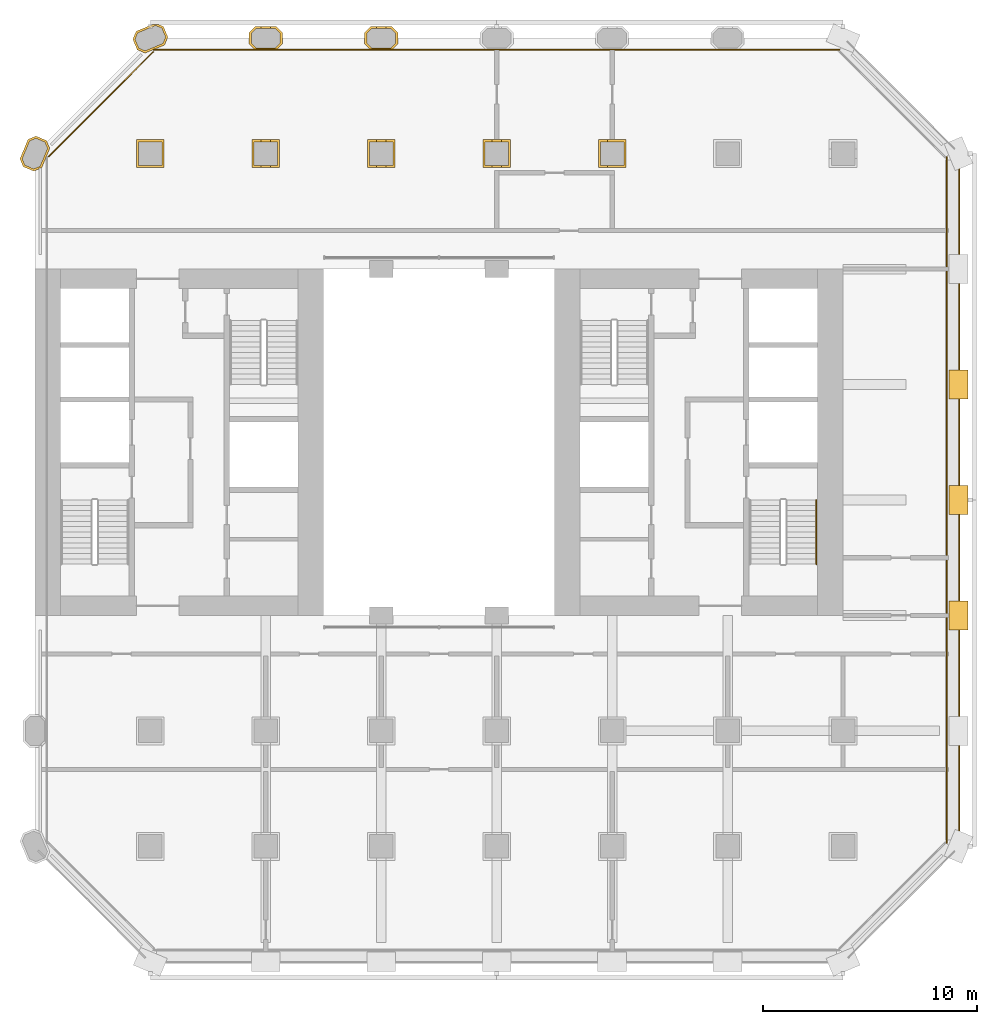
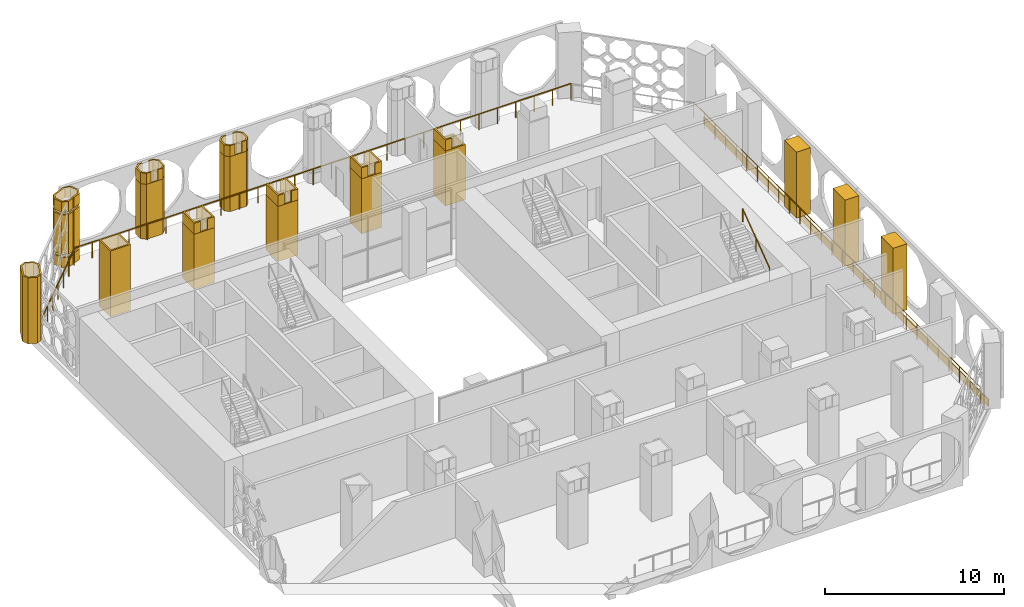
# One storey, part 13 of 14: 26 coverings, 4 railings.
"""IFC4 building model written with IfcOpenShell, lengths in metres."""

from ifc_helpers import new_model, si_unit, direction, frame, frame_2d, origin, origin_2d, place, context, subcontext, project, spatial, polyline, rectangle, circle, outline, extrude, material, layer, layer_set, type_object, element, save


model = new_model("IFC4")

# Units and contexts
model_context = context("Model", 3, precision=1e-05, world=origin(), true_north=direction((0.0, 1.0)))
body_context = subcontext(model_context, "Body", "Model", "MODEL_VIEW")
ifc_project = project(units=[si_unit("LENGTHUNIT", "METRE"), si_unit("AREAUNIT", "SQUARE_METRE"), si_unit("VOLUMEUNIT", "CUBIC_METRE"), si_unit("PLANEANGLEUNIT", "RADIAN"), si_unit("MASSUNIT", "GRAM", prefix="KILO")], contexts=[model_context])

# Site, building, storey
site_placement = place(None, origin())
site = spatial("IfcSite", under=ifc_project, at=site_placement, CompositionType="ELEMENT")
building_placement = place(site_placement, origin())
building = spatial("IfcBuilding", under=site, at=building_placement, Name="Tabaq Tower and Sports Hall", CompositionType="ELEMENT")
storey_placement = place(building_placement, frame((0.0, 0.0, 60.199951171875)))
storey = spatial("IfcBuildingStorey", under=building, at=storey_placement, Name="L13", CompositionType="ELEMENT", Elevation=60.199951171875)

# Coverings
ifc_material_1 = material(Name="Precast concrete C60/75", Category="concrete")
ifc_layer_1 = layer(ifc_material_1, 0.10009765625)
ifc_layer_set_1 = layer_set([ifc_layer_1], Name="Column cladding 100")
covering_type_1 = type_object("IfcCoveringType", Name="Column cladding 100", PredefinedType="CLADDING", material=ifc_layer_set_1)
covering_1_placement = place(storey_placement, origin())
element("IfcCovering", 1, at=covering_1_placement, inside=storey, type_object=covering_type_1, Name="Column cladding L13 PC-2H-O1", PredefinedType="CLADDING", context=body_context, shape_type="SweptSolid", body=[
    extrude(outline(polyline([(4.857421875, 37.186279296875), (4.7041015625, 37.556396484375), (5.080078125, 38.46435546875), (5.450439453125, 38.61767578125), (5.9423828125, 38.413818359375), (6.095947265625, 38.04345703125), (5.94287109375, 37.673828125), (5.942138671875, 37.673828125), (5.938232421875, 37.6728515625), (5.9345703125, 37.671630859375), (5.930908203125, 37.669921875), (5.927490234375, 37.667724609375), (5.92431640625, 37.66552734375), (5.92138671875, 37.662841796875), (5.9189453125, 37.659912109375), (5.91650390625, 37.65673828125), (5.91455078125, 37.6533203125), (5.912841796875, 37.649658203125), (5.911376953125, 37.64599609375), (5.910400390625, 37.64208984375), (5.909912109375, 37.63818359375), (5.90966796875, 37.63427734375), (5.90966796875, 37.593994140625), (5.7197265625, 37.1357421875), (5.694580078125, 37.125244140625), (5.589599609375, 37.125244140625), (5.589599609375, 37.081787109375), (5.349609375, 36.982421875), (4.857421875, 37.186279296875)]), holes=[polyline([(5.866455078125, 38.337646484375), (5.450439453125, 38.510009765625), (5.15625, 38.38818359375), (4.811767578125, 37.556396484375), (4.93359375, 37.26220703125), (5.349609375, 37.08984375), (5.643798828125, 37.2119140625), (5.98828125, 38.04345703125), (5.866455078125, 38.337646484375)])]), origin(), (0.0, 0.0, 1.0), 4.5),
])
covering_2_placement = place(storey_placement, origin())
element("IfcCovering", 2, at=covering_2_placement, inside=storey, type_object=covering_type_1, Name="Column cladding L13 CC-3H-O1", PredefinedType="CLADDING", context=body_context, shape_type="SweptSolid", body=[
    extrude(outline(polyline([(10.150390625, 38.44970703125), (11.44970703125, 38.44970703125), (11.44970703125, 37.150390625), (10.150390625, 37.150390625), (10.150390625, 38.44970703125)]), holes=[polyline([(11.350341796875, 37.249755859375), (11.350341796875, 38.350341796875), (10.249755859375, 38.350341796875), (10.249755859375, 37.249755859375), (11.350341796875, 37.249755859375)])]), origin(), (0.0, 0.0, 1.0), 4.5),
])
covering_3_placement = place(storey_placement, origin())
element("IfcCovering", 3, at=covering_3_placement, inside=storey, type_object=covering_type_1, Name="Column cladding L13 PC-3I-O1", PredefinedType="CLADDING", context=body_context, shape_type="SweptSolid", body=[
    extrude(outline(polyline([(9.982421875, 43.149658203125), (10.1357421875, 43.519775390625), (10.93212890625, 43.849609375), (11.155029296875, 43.849609375), (11.413818359375, 43.742431640625), (11.61767578125, 43.25048828125), (11.46435546875, 42.880126953125), (11.005859375, 42.690185546875), (10.965576171875, 42.690185546875), (10.961669921875, 42.690185546875), (10.957763671875, 42.689453125), (10.9541015625, 42.6884765625), (10.9501953125, 42.687255859375), (10.94677734375, 42.685546875), (10.943359375, 42.68359375), (10.940185546875, 42.68115234375), (10.937255859375, 42.678466796875), (10.9345703125, 42.675537109375), (10.93212890625, 42.67236328125), (10.93017578125, 42.6689453125), (10.928466796875, 42.66552734375), (10.927001953125, 42.66162109375), (10.92626953125, 42.657958984375), (10.926025390625, 42.6572265625), (10.556396484375, 42.504150390625), (10.186279296875, 42.657470703125), (9.982421875, 43.149658203125)]), holes=[polyline([(11.510009765625, 43.25048828125), (11.337646484375, 43.66650390625), (11.04345703125, 43.788330078125), (10.2119140625, 43.44384765625), (10.08984375, 43.149658203125), (10.26220703125, 42.733642578125), (10.556396484375, 42.61181640625), (11.38818359375, 42.956298828125), (11.510009765625, 43.25048828125)])]), origin(), (0.0, 0.0, 1.0), 0.699951171875),
])
covering_4_placement = place(storey_placement, frame((0.0, 0.0, 0.900146484375)))
element("IfcCovering", 4, at=covering_4_placement, inside=storey, type_object=covering_type_1, Name="Column cladding L13 PC-3I-O1 2", PredefinedType="CLADDING", context=body_context, shape_type="SweptSolid", body=[
    extrude(outline(polyline([(9.982421875, 43.149658203125), (10.1357421875, 43.519775390625), (10.93212890625, 43.849609375), (11.155029296875, 43.849609375), (11.413818359375, 43.742431640625), (11.61767578125, 43.25048828125), (11.46435546875, 42.880126953125), (11.005859375, 42.690185546875), (10.965576171875, 42.690185546875), (10.961669921875, 42.690185546875), (10.957763671875, 42.689453125), (10.9541015625, 42.6884765625), (10.9501953125, 42.687255859375), (10.94677734375, 42.685546875), (10.943359375, 42.68359375), (10.940185546875, 42.68115234375), (10.937255859375, 42.678466796875), (10.9345703125, 42.675537109375), (10.93212890625, 42.67236328125), (10.93017578125, 42.6689453125), (10.928466796875, 42.66552734375), (10.927001953125, 42.66162109375), (10.92626953125, 42.657958984375), (10.926025390625, 42.6572265625), (10.556396484375, 42.504150390625), (10.186279296875, 42.657470703125), (9.982421875, 43.149658203125)]), holes=[polyline([(11.510009765625, 43.25048828125), (11.337646484375, 43.66650390625), (11.04345703125, 43.788330078125), (10.2119140625, 43.44384765625), (10.08984375, 43.149658203125), (10.26220703125, 42.733642578125), (10.556396484375, 42.61181640625), (11.38818359375, 42.956298828125), (11.510009765625, 43.25048828125)])]), origin(), (0.0, 0.0, 1.0), 2.699951171875),
])
covering_5_placement = place(storey_placement, frame((0.0, 0.0, 3.800048828125)))
element("IfcCovering", 5, at=covering_5_placement, inside=storey, type_object=covering_type_1, Name="Column cladding L13 PC-3I-O1 3", PredefinedType="CLADDING", context=body_context, shape_type="SweptSolid", body=[
    extrude(outline(polyline([(9.982421875, 43.149658203125), (10.1357421875, 43.519775390625), (10.93212890625, 43.849609375), (11.155029296875, 43.849609375), (11.413818359375, 43.742431640625), (11.61767578125, 43.25048828125), (11.46435546875, 42.880126953125), (11.005859375, 42.690185546875), (10.965576171875, 42.690185546875), (10.961669921875, 42.690185546875), (10.957763671875, 42.689453125), (10.9541015625, 42.6884765625), (10.9501953125, 42.687255859375), (10.94677734375, 42.685546875), (10.943359375, 42.68359375), (10.940185546875, 42.68115234375), (10.937255859375, 42.678466796875), (10.9345703125, 42.675537109375), (10.93212890625, 42.67236328125), (10.93017578125, 42.6689453125), (10.928466796875, 42.66552734375), (10.927001953125, 42.66162109375), (10.92626953125, 42.657958984375), (10.926025390625, 42.6572265625), (10.556396484375, 42.504150390625), (10.186279296875, 42.657470703125), (9.982421875, 43.149658203125)]), holes=[polyline([(11.510009765625, 43.25048828125), (11.337646484375, 43.66650390625), (11.04345703125, 43.788330078125), (10.2119140625, 43.44384765625), (10.08984375, 43.149658203125), (10.26220703125, 42.733642578125), (10.556396484375, 42.61181640625), (11.38818359375, 42.956298828125), (11.510009765625, 43.25048828125)])]), origin(), (0.0, 0.0, 1.0), 0.699951171875),
])
covering_6_placement = place(storey_placement, origin())
element("IfcCovering", 6, at=covering_6_placement, inside=storey, type_object=covering_type_1, Name="Column cladding L13 CC-4H-O1", PredefinedType="CLADDING", context=body_context, shape_type="SweptSolid", body=[
    extrude(outline(polyline([(15.55029296875, 38.44970703125), (16.849609375, 38.44970703125), (16.849609375, 37.150390625), (15.55029296875, 37.150390625), (15.55029296875, 38.44970703125)]), holes=[polyline([(16.750244140625, 37.249755859375), (16.750244140625, 38.350341796875), (15.649658203125, 38.350341796875), (15.649658203125, 37.249755859375), (16.750244140625, 37.249755859375)])]), origin(), (0.0, 0.0, 1.0), 3.75),
])
covering_7_placement = place(storey_placement, frame((0.0, 0.0, 3.75)))
element("IfcCovering", 7, at=covering_7_placement, inside=storey, type_object=covering_type_1, Name="Column cladding L13 CC-4H-O1 head", PredefinedType="CLADDING", context=body_context, shape_type="SweptSolid", body=[
    extrude(outline(polyline([(16.425537109375, 38.3505859375), (16.425537109375, 38.449462890625), (16.849365234375, 38.449462890625), (16.849365234375, 37.150634765625), (16.425537109375, 37.150634765625), (16.425537109375, 37.24951171875), (16.75048828125, 37.24951171875), (16.75048828125, 38.3505859375), (16.425537109375, 38.3505859375)])), origin(), (0.0, 0.0, 1.0), 0.75),
])
covering_8_placement = place(storey_placement, frame((0.0, 0.0, 3.75)))
element("IfcCovering", 8, at=covering_8_placement, inside=storey, type_object=covering_type_1, Name="Column cladding L13 CC-4H-O1 head 2", PredefinedType="CLADDING", context=body_context, shape_type="SweptSolid", body=[
    extrude(outline(polyline([(15.974365234375, 38.3505859375), (15.6494140625, 38.3505859375), (15.6494140625, 37.24951171875), (15.974365234375, 37.24951171875), (15.974365234375, 37.150634765625), (15.550537109375, 37.150634765625), (15.550537109375, 38.449462890625), (15.974365234375, 38.449462890625), (15.974365234375, 38.3505859375)])), origin(), (0.0, 0.0, 1.0), 0.75),
])
covering_9_placement = place(storey_placement, origin())
element("IfcCovering", 9, at=covering_9_placement, inside=storey, type_object=covering_type_1, Name="Column cladding L13 PC-4I-O1", PredefinedType="CLADDING", context=body_context, shape_type="SweptSolid", body=[
    extrude(outline(polyline([(15.42529296875, 43.46630859375), (15.708740234375, 43.749755859375), (16.69140625, 43.749755859375), (16.974609375, 43.46630859375), (16.974609375, 42.93359375), (16.731201171875, 42.690185546875), (15.668701171875, 42.690185546875), (15.42529296875, 42.93359375), (15.42529296875, 43.46630859375)]), holes=[polyline([(16.875244140625, 42.974853515625), (16.875244140625, 43.425048828125), (16.650146484375, 43.650390625), (15.749755859375, 43.650390625), (15.524658203125, 43.425048828125), (15.524658203125, 42.974853515625), (15.749755859375, 42.749755859375), (16.650146484375, 42.749755859375), (16.875244140625, 42.974853515625)])]), origin(), (0.0, 0.0, 1.0), 3.75),
])
covering_10_placement = place(storey_placement, frame((0.0, 0.0, 3.75)))
element("IfcCovering", 10, at=covering_10_placement, inside=storey, type_object=covering_type_1, Name="Column cladding L13 PC-4I-O1 head", PredefinedType="CLADDING", context=body_context, shape_type="SweptSolid", body=[
    extrude(outline(polyline([(16.69140625, 43.749755859375), (16.974609375, 43.46630859375), (16.974609375, 42.93359375), (16.731201171875, 42.690185546875), (16.42529296875, 42.690185546875), (16.42529296875, 42.749755859375), (16.650146484375, 42.749755859375), (16.875244140625, 42.974853515625), (16.875244140625, 43.425048828125), (16.650146484375, 43.650390625), (16.42529296875, 43.650390625), (16.42529296875, 43.749755859375), (16.69140625, 43.749755859375)])), origin(), (0.0, 0.0, 1.0), 0.75),
])
covering_11_placement = place(storey_placement, frame((0.0, 0.0, 3.75)))
element("IfcCovering", 11, at=covering_11_placement, inside=storey, type_object=covering_type_1, Name="Column cladding L13 PC-4I-O1 head 2", PredefinedType="CLADDING", context=body_context, shape_type="SweptSolid", body=[
    extrude(outline(polyline([(15.708740234375, 43.749755859375), (15.974609375, 43.749755859375), (15.974609375, 43.650390625), (15.749755859375, 43.650390625), (15.524658203125, 43.425048828125), (15.524658203125, 42.974853515625), (15.749755859375, 42.749755859375), (15.974609375, 42.749755859375), (15.974609375, 42.690185546875), (15.668701171875, 42.690185546875), (15.42529296875, 42.93359375), (15.42529296875, 43.46630859375), (15.708740234375, 43.749755859375)])), origin(), (0.0, 0.0, 1.0), 0.75),
])
covering_12_placement = place(storey_placement, origin())
element("IfcCovering", 12, at=covering_12_placement, inside=storey, type_object=covering_type_1, Name="Column cladding L13 CC-5H-O1", PredefinedType="CLADDING", context=body_context, shape_type="SweptSolid", body=[
    extrude(outline(polyline([(20.9501953125, 38.44970703125), (22.249755859375, 38.44970703125), (22.249755859375, 37.150390625), (20.9501953125, 37.150390625), (20.9501953125, 38.44970703125)]), holes=[polyline([(22.150390625, 37.249755859375), (22.150390625, 38.350341796875), (21.0498046875, 38.350341796875), (21.0498046875, 37.249755859375), (22.150390625, 37.249755859375)])]), origin(), (0.0, 0.0, 1.0), 3.75),
])
covering_13_placement = place(storey_placement, frame((0.0, 0.0, 3.75)))
element("IfcCovering", 13, at=covering_13_placement, inside=storey, type_object=covering_type_1, Name="Column cladding L13 CC-5H-O1 head", PredefinedType="CLADDING", context=body_context, shape_type="SweptSolid", body=[
    extrude(outline(polyline([(21.37451171875, 38.3505859375), (21.04931640625, 38.3505859375), (21.04931640625, 37.24951171875), (21.37451171875, 37.24951171875), (21.37451171875, 37.150634765625), (20.95068359375, 37.150634765625), (20.95068359375, 38.449462890625), (21.37451171875, 38.449462890625), (21.37451171875, 38.3505859375)])), origin(), (0.0, 0.0, 1.0), 0.75),
])
covering_14_placement = place(storey_placement, frame((0.0, 0.0, 3.75)))
element("IfcCovering", 14, at=covering_14_placement, inside=storey, type_object=covering_type_1, Name="Column cladding L13 CC-5H-O1 head 2", PredefinedType="CLADDING", context=body_context, shape_type="SweptSolid", body=[
    extrude(outline(polyline([(21.82568359375, 38.3505859375), (21.82568359375, 38.449462890625), (22.24951171875, 38.449462890625), (22.24951171875, 37.150634765625), (21.82568359375, 37.150634765625), (21.82568359375, 37.24951171875), (22.150634765625, 37.24951171875), (22.150634765625, 38.3505859375), (21.82568359375, 38.3505859375)])), origin(), (0.0, 0.0, 1.0), 0.75),
])
covering_15_placement = place(storey_placement, origin())
element("IfcCovering", 15, at=covering_15_placement, inside=storey, type_object=covering_type_1, Name="Column cladding L13 PC-5I-O1", PredefinedType="CLADDING", context=body_context, shape_type="SweptSolid", body=[
    extrude(outline(polyline([(20.8251953125, 43.46630859375), (21.108642578125, 43.749755859375), (22.09130859375, 43.749755859375), (22.374755859375, 43.46630859375), (22.374755859375, 42.93359375), (22.13134765625, 42.690185546875), (21.068603515625, 42.690185546875), (20.8251953125, 42.93359375), (20.8251953125, 43.46630859375)]), holes=[polyline([(22.275390625, 42.974853515625), (22.275390625, 43.425048828125), (22.050048828125, 43.650390625), (21.14990234375, 43.650390625), (20.9248046875, 43.425048828125), (20.9248046875, 42.974853515625), (21.14990234375, 42.749755859375), (22.050048828125, 42.749755859375), (22.275390625, 42.974853515625)])]), origin(), (0.0, 0.0, 1.0), 3.75),
])
covering_16_placement = place(storey_placement, frame((0.0, 0.0, 3.75)))
element("IfcCovering", 16, at=covering_16_placement, inside=storey, type_object=covering_type_1, Name="Column cladding L13 PC-5I-O1 head", PredefinedType="CLADDING", context=body_context, shape_type="SweptSolid", body=[
    extrude(outline(polyline([(21.108642578125, 43.749755859375), (21.374755859375, 43.749755859375), (21.374755859375, 43.650390625), (21.14990234375, 43.650390625), (20.9248046875, 43.425048828125), (20.9248046875, 42.974853515625), (21.14990234375, 42.749755859375), (21.374755859375, 42.749755859375), (21.374755859375, 42.690185546875), (21.068603515625, 42.690185546875), (20.8251953125, 42.93359375), (20.8251953125, 43.46630859375), (21.108642578125, 43.749755859375)])), origin(), (0.0, 0.0, 1.0), 0.75),
])
covering_17_placement = place(storey_placement, frame((0.0, 0.0, 3.75)))
element("IfcCovering", 17, at=covering_17_placement, inside=storey, type_object=covering_type_1, Name="Column cladding L13 PC-5I-O1 head 2", PredefinedType="CLADDING", context=body_context, shape_type="SweptSolid", body=[
    extrude(outline(polyline([(22.09130859375, 43.749755859375), (22.374755859375, 43.46630859375), (22.374755859375, 42.93359375), (22.13134765625, 42.690185546875), (21.8251953125, 42.690185546875), (21.8251953125, 42.749755859375), (22.050048828125, 42.749755859375), (22.275390625, 42.974853515625), (22.275390625, 43.425048828125), (22.050048828125, 43.650390625), (21.8251953125, 43.650390625), (21.8251953125, 43.749755859375), (22.09130859375, 43.749755859375)])), origin(), (0.0, 0.0, 1.0), 0.75),
])
covering_18_placement = place(storey_placement, origin())
element("IfcCovering", 18, at=covering_18_placement, inside=storey, type_object=covering_type_1, Name="Column cladding L13 CC-6H-O1", PredefinedType="CLADDING", context=body_context, shape_type="SweptSolid", body=[
    extrude(outline(polyline([(26.350341796875, 38.44970703125), (27.649658203125, 38.44970703125), (27.649658203125, 37.150390625), (26.350341796875, 37.150390625), (26.350341796875, 38.44970703125)]), holes=[polyline([(27.55029296875, 37.249755859375), (27.55029296875, 38.350341796875), (26.44970703125, 38.350341796875), (26.44970703125, 37.249755859375), (27.55029296875, 37.249755859375)])]), origin(), (0.0, 0.0, 1.0), 3.75),
])
covering_19_placement = place(storey_placement, frame((0.0, 0.0, 3.75)))
element("IfcCovering", 19, at=covering_19_placement, inside=storey, type_object=covering_type_1, Name="Column cladding L13 CC-6H-O1 head", PredefinedType="CLADDING", context=body_context, shape_type="SweptSolid", body=[
    extrude(outline(polyline([(26.7744140625, 38.3505859375), (26.449462890625, 38.3505859375), (26.449462890625, 37.24951171875), (26.7744140625, 37.24951171875), (26.7744140625, 37.150634765625), (26.3505859375, 37.150634765625), (26.3505859375, 38.449462890625), (26.7744140625, 38.449462890625), (26.7744140625, 38.3505859375)])), origin(), (0.0, 0.0, 1.0), 0.75),
])
covering_20_placement = place(storey_placement, frame((0.0, 0.0, 3.75)))
element("IfcCovering", 20, at=covering_20_placement, inside=storey, type_object=covering_type_1, Name="Column cladding L13 CC-6H-O1 head 2", PredefinedType="CLADDING", context=body_context, shape_type="SweptSolid", body=[
    extrude(outline(polyline([(27.2255859375, 38.3505859375), (27.2255859375, 38.449462890625), (27.6494140625, 38.449462890625), (27.6494140625, 37.150634765625), (27.2255859375, 37.150634765625), (27.2255859375, 37.24951171875), (27.550537109375, 37.24951171875), (27.550537109375, 38.3505859375), (27.2255859375, 38.3505859375)])), origin(), (0.0, 0.0, 1.0), 0.75),
])
covering_21_placement = place(storey_placement, origin())
element("IfcCovering", 21, at=covering_21_placement, inside=storey, type_object=covering_type_1, Name="Column cladding L13 CC-7H-O1", PredefinedType="CLADDING", context=body_context, shape_type="SweptSolid", body=[
    extrude(outline(polyline([(31.750244140625, 38.44970703125), (33.0498046875, 38.44970703125), (33.0498046875, 37.150390625), (31.750244140625, 37.150390625), (31.750244140625, 38.44970703125)]), holes=[polyline([(32.9501953125, 37.249755859375), (32.9501953125, 38.350341796875), (31.849609375, 38.350341796875), (31.849609375, 37.249755859375), (32.9501953125, 37.249755859375)])]), origin(), (0.0, 0.0, 1.0), 3.75),
])
covering_22_placement = place(storey_placement, frame((0.0, 0.0, 3.75)))
element("IfcCovering", 22, at=covering_22_placement, inside=storey, type_object=covering_type_1, Name="Column cladding L13 CC-7H-O1 head", PredefinedType="CLADDING", context=body_context, shape_type="SweptSolid", body=[
    extrude(outline(polyline([(32.17431640625, 38.3505859375), (31.849365234375, 38.3505859375), (31.849365234375, 37.24951171875), (32.17431640625, 37.24951171875), (32.17431640625, 37.150634765625), (31.75048828125, 37.150634765625), (31.75048828125, 38.449462890625), (32.17431640625, 38.449462890625), (32.17431640625, 38.3505859375)])), origin(), (0.0, 0.0, 1.0), 0.75),
])
ifc_material_2 = material(Name="Precast concrete C60/75", Category="concrete")
ifc_layer_2 = layer(ifc_material_2, 0.06005859375)
ifc_layer_set_2 = layer_set([ifc_layer_2], Name="Edge beam cladding 60")
covering_type_2 = type_object("IfcCoveringType", Name="Edge beam cladding 60", PredefinedType="CLADDING", material=ifc_layer_set_2)
covering_23_placement = place(storey_placement, frame((48.6298828125, 5.698486328125, -0.5), z_axis=(0.0, 0.0, 1.0), x_axis=(0.0, 1.0, 0.0)))
element("IfcCovering", 23, at=covering_23_placement, inside=storey, type_object=covering_type_2, Name="Edge beam cladding L13 3", PredefinedType="CLADDING", context=body_context, shape_type="SweptSolid", body=[
    extrude(rectangle(XDim=31.802978515625, YDim=0.06005859375, at=frame_2d((15.9013671875, 0.0))), origin(), (0.0, 0.0, 1.0), 0.5),
])

# Railings
ifc_material_3 = material(Name="Stainless steel S316 and laminated glass", Category="steel")
railing_type_1 = type_object("IfcRailingType", Name="Guard 1100 steel and glass", PredefinedType="GUARDRAIL", material=ifc_material_3)
railing_1_placement = place(storey_placement, frame((48.050048828125, 5.565673828125, 0.0)))
element("IfcRailing", 24, at=railing_1_placement, inside=storey, type_object=railing_type_1, Name="Guard L13 E", PredefinedType="GUARDRAIL", context=body_context, shape_type="SweptSolid", body=[
    extrude(circle(Radius=0.02490234375, at=origin_2d()), frame((0.0, 0.0, 1.0751953125), z_axis=(0.0, 1.0, 0.0), x_axis=(-1.0, 0.0, 0.0)), (0.0, 0.0, 1.0), 32.068603515625),
    extrude(circle(Radius=0.02001953125, at=origin_2d()), origin(), (0.0, 0.0, 1.0), 1.050048828125),
    extrude(circle(Radius=0.02001953125, at=origin_2d()), frame((0.0, 1.187744140625, 0.0)), (0.0, 0.0, 1.0), 1.050048828125),
    extrude(circle(Radius=0.02001953125, at=origin_2d()), frame((0.0, 2.37548828125, 0.0)), (0.0, 0.0, 1.0), 1.050048828125),
    extrude(circle(Radius=0.02001953125, at=origin_2d()), frame((0.0, 3.563232421875, 0.0)), (0.0, 0.0, 1.0), 1.050048828125),
    extrude(circle(Radius=0.02001953125, at=origin_2d()), frame((0.0, 4.7509765625, 0.0)), (0.0, 0.0, 1.0), 1.050048828125),
    extrude(circle(Radius=0.02001953125, at=origin_2d()), frame((0.0, 5.938720703125, 0.0)), (0.0, 0.0, 1.0), 1.050048828125),
    extrude(circle(Radius=0.02001953125, at=origin_2d()), frame((0.0, 7.12646484375, 0.0)), (0.0, 0.0, 1.0), 1.050048828125),
    extrude(circle(Radius=0.02001953125, at=origin_2d()), frame((0.0, 8.31396484375, 0.0)), (0.0, 0.0, 1.0), 1.050048828125),
    extrude(circle(Radius=0.02001953125, at=origin_2d()), frame((0.0, 9.501708984375, 0.0)), (0.0, 0.0, 1.0), 1.050048828125),
    extrude(circle(Radius=0.02001953125, at=origin_2d()), frame((0.0, 10.689453125, 0.0)), (0.0, 0.0, 1.0), 1.050048828125),
    extrude(circle(Radius=0.02001953125, at=origin_2d()), frame((0.0, 11.877197265625, 0.0)), (0.0, 0.0, 1.0), 1.050048828125),
    extrude(circle(Radius=0.02001953125, at=origin_2d()), frame((0.0, 13.06494140625, 0.0)), (0.0, 0.0, 1.0), 1.050048828125),
    extrude(circle(Radius=0.02001953125, at=origin_2d()), frame((0.0, 14.252685546875, 0.0)), (0.0, 0.0, 1.0), 1.050048828125),
    extrude(circle(Radius=0.02001953125, at=origin_2d()), frame((0.0, 15.4404296875, 0.0)), (0.0, 0.0, 1.0), 1.050048828125),
    extrude(circle(Radius=0.02001953125, at=origin_2d()), frame((0.0, 16.628173828125, 0.0)), (0.0, 0.0, 1.0), 1.050048828125),
    extrude(circle(Radius=0.02001953125, at=origin_2d()), frame((0.0, 17.81591796875, 0.0)), (0.0, 0.0, 1.0), 1.050048828125),
    extrude(circle(Radius=0.02001953125, at=origin_2d()), frame((0.0, 19.003662109375, 0.0)), (0.0, 0.0, 1.0), 1.050048828125),
    extrude(circle(Radius=0.02001953125, at=origin_2d()), frame((0.0, 20.19140625, 0.0)), (0.0, 0.0, 1.0), 1.050048828125),
    extrude(circle(Radius=0.02001953125, at=origin_2d()), frame((0.0, 21.379150390625, 0.0)), (0.0, 0.0, 1.0), 1.050048828125),
    extrude(circle(Radius=0.02001953125, at=origin_2d()), frame((0.0, 22.56689453125, 0.0)), (0.0, 0.0, 1.0), 1.050048828125),
    extrude(circle(Radius=0.02001953125, at=origin_2d()), frame((0.0, 23.754638671875, 0.0)), (0.0, 0.0, 1.0), 1.050048828125),
    extrude(circle(Radius=0.02001953125, at=origin_2d()), frame((0.0, 24.942138671875, 0.0)), (0.0, 0.0, 1.0), 1.050048828125),
    extrude(circle(Radius=0.02001953125, at=origin_2d()), frame((0.0, 26.1298828125, 0.0)), (0.0, 0.0, 1.0), 1.050048828125),
    extrude(circle(Radius=0.02001953125, at=origin_2d()), frame((0.0, 27.317626953125, 0.0)), (0.0, 0.0, 1.0), 1.050048828125),
    extrude(circle(Radius=0.02001953125, at=origin_2d()), frame((0.0, 28.50537109375, 0.0)), (0.0, 0.0, 1.0), 1.050048828125),
    extrude(circle(Radius=0.02001953125, at=origin_2d()), frame((0.0, 29.693115234375, 0.0)), (0.0, 0.0, 1.0), 1.050048828125),
    extrude(circle(Radius=0.02001953125, at=origin_2d()), frame((0.0, 30.880859375, 0.0)), (0.0, 0.0, 1.0), 1.050048828125),
    extrude(circle(Radius=0.02001953125, at=origin_2d()), frame((0.0, 32.068603515625, 0.0)), (0.0, 0.0, 1.0), 1.050048828125),
])
railing_2_placement = place(storey_placement, frame((43.034423828125, 42.64990234375, 0.0)))
element("IfcRailing", 25, at=railing_2_placement, inside=storey, type_object=railing_type_1, Name="Guard L13 N", PredefinedType="GUARDRAIL", context=body_context, shape_type="SweptSolid", body=[
    extrude(circle(Radius=0.02490234375, at=origin_2d()), frame((0.0, 0.0, 1.0751953125), z_axis=(-1.0, 0.0, 0.0), x_axis=(0.0, -1.0, 0.0)), (0.0, 0.0, 1.0), 32.06884765625),
    extrude(circle(Radius=0.02001953125, at=origin_2d()), origin(), (0.0, 0.0, 1.0), 1.050048828125),
    extrude(circle(Radius=0.02001953125, at=origin_2d()), frame((-1.187744140625, 0.0, 0.0)), (0.0, 0.0, 1.0), 1.050048828125),
    extrude(circle(Radius=0.02001953125, at=origin_2d()), frame((-2.37548828125, 0.0, 0.0)), (0.0, 0.0, 1.0), 1.050048828125),
    extrude(circle(Radius=0.02001953125, at=origin_2d()), frame((-3.563232421875, 0.0, 0.0)), (0.0, 0.0, 1.0), 1.050048828125),
    extrude(circle(Radius=0.02001953125, at=origin_2d()), frame((-4.7509765625, 0.0, 0.0)), (0.0, 0.0, 1.0), 1.050048828125),
    extrude(circle(Radius=0.02001953125, at=origin_2d()), frame((-5.938720703125, 0.0, 0.0)), (0.0, 0.0, 1.0), 1.050048828125),
    extrude(circle(Radius=0.02001953125, at=origin_2d()), frame((-7.12646484375, 0.0, 0.0)), (0.0, 0.0, 1.0), 1.050048828125),
    extrude(circle(Radius=0.02001953125, at=origin_2d()), frame((-8.314208984375, 0.0, 0.0)), (0.0, 0.0, 1.0), 1.050048828125),
    extrude(circle(Radius=0.02001953125, at=origin_2d()), frame((-9.501953125, 0.0, 0.0)), (0.0, 0.0, 1.0), 1.050048828125),
    extrude(circle(Radius=0.02001953125, at=origin_2d()), frame((-10.689697265625, 0.0, 0.0)), (0.0, 0.0, 1.0), 1.050048828125),
    extrude(circle(Radius=0.02001953125, at=origin_2d()), frame((-11.87744140625, 0.0, 0.0)), (0.0, 0.0, 1.0), 1.050048828125),
    extrude(circle(Radius=0.02001953125, at=origin_2d()), frame((-13.065185546875, 0.0, 0.0)), (0.0, 0.0, 1.0), 1.050048828125),
    extrude(circle(Radius=0.02001953125, at=origin_2d()), frame((-14.2529296875, 0.0, 0.0)), (0.0, 0.0, 1.0), 1.050048828125),
    extrude(circle(Radius=0.02001953125, at=origin_2d()), frame((-15.440673828125, 0.0, 0.0)), (0.0, 0.0, 1.0), 1.050048828125),
    extrude(circle(Radius=0.02001953125, at=origin_2d()), frame((-16.628173828125, 0.0, 0.0)), (0.0, 0.0, 1.0), 1.050048828125),
    extrude(circle(Radius=0.02001953125, at=origin_2d()), frame((-17.81591796875, 0.0, 0.0)), (0.0, 0.0, 1.0), 1.050048828125),
    extrude(circle(Radius=0.02001953125, at=origin_2d()), frame((-19.003662109375, 0.0, 0.0)), (0.0, 0.0, 1.0), 1.050048828125),
    extrude(circle(Radius=0.02001953125, at=origin_2d()), frame((-20.19140625, 0.0, 0.0)), (0.0, 0.0, 1.0), 1.050048828125),
    extrude(circle(Radius=0.02001953125, at=origin_2d()), frame((-21.379150390625, 0.0, 0.0)), (0.0, 0.0, 1.0), 1.050048828125),
    extrude(circle(Radius=0.02001953125, at=origin_2d()), frame((-22.56689453125, 0.0, 0.0)), (0.0, 0.0, 1.0), 1.050048828125),
    extrude(circle(Radius=0.02001953125, at=origin_2d()), frame((-23.754638671875, 0.0, 0.0)), (0.0, 0.0, 1.0), 1.050048828125),
    extrude(circle(Radius=0.02001953125, at=origin_2d()), frame((-24.9423828125, 0.0, 0.0)), (0.0, 0.0, 1.0), 1.050048828125),
    extrude(circle(Radius=0.02001953125, at=origin_2d()), frame((-26.130126953125, 0.0, 0.0)), (0.0, 0.0, 1.0), 1.050048828125),
    extrude(circle(Radius=0.02001953125, at=origin_2d()), frame((-27.31787109375, 0.0, 0.0)), (0.0, 0.0, 1.0), 1.050048828125),
    extrude(circle(Radius=0.02001953125, at=origin_2d()), frame((-28.505615234375, 0.0, 0.0)), (0.0, 0.0, 1.0), 1.050048828125),
    extrude(circle(Radius=0.02001953125, at=origin_2d()), frame((-29.693359375, 0.0, 0.0)), (0.0, 0.0, 1.0), 1.050048828125),
    extrude(circle(Radius=0.02001953125, at=origin_2d()), frame((-30.881103515625, 0.0, 0.0)), (0.0, 0.0, 1.0), 1.050048828125),
    extrude(circle(Radius=0.02001953125, at=origin_2d()), frame((-32.06884765625, 0.0, 0.0)), (0.0, 0.0, 1.0), 1.050048828125),
])
railing_3_placement = place(storey_placement, frame((10.9287109375, 42.551025390625, 0.0)))
element("IfcRailing", 26, at=railing_3_placement, inside=storey, type_object=railing_type_1, Name="Guard L13 NW", PredefinedType="GUARDRAIL", context=body_context, shape_type="SweptSolid", body=[
    extrude(circle(Radius=0.02490234375, at=origin_2d()), frame((0.0, 0.0, 1.0751953125), z_axis=(-0.70708909224, -0.70712446969, 0.0), x_axis=(0.70712446969, -0.70708909224, 0.0)), (0.0, 0.0, 1.0), 6.901123046875),
    extrude(circle(Radius=0.02001953125, at=origin_2d()), origin(), (0.0, 0.0, 1.0), 1.050048828125),
    extrude(circle(Radius=0.02001953125, at=origin_2d()), frame((-0.813232421875, -0.813232421875, 0.0)), (0.0, 0.0, 1.0), 1.050048828125),
    extrude(circle(Radius=0.02001953125, at=origin_2d()), frame((-1.62646484375, -1.626708984375, 0.0)), (0.0, 0.0, 1.0), 1.050048828125),
    extrude(circle(Radius=0.02001953125, at=origin_2d()), frame((-2.43994140625, -2.43994140625, 0.0)), (0.0, 0.0, 1.0), 1.050048828125),
    extrude(circle(Radius=0.02001953125, at=origin_2d()), frame((-3.253173828125, -3.253173828125, 0.0)), (0.0, 0.0, 1.0), 1.050048828125),
    extrude(circle(Radius=0.02001953125, at=origin_2d()), frame((-4.06640625, -4.066650390625, 0.0)), (0.0, 0.0, 1.0), 1.050048828125),
    extrude(circle(Radius=0.02001953125, at=origin_2d()), frame((-4.879638671875, -4.8798828125, 0.0)), (0.0, 0.0, 1.0), 1.050048828125),
])

# Coverings
ifc_material_4 = material(Name="White precast concrete C60/75", Category="concrete")
covering_type_3 = type_object("IfcCoveringType", Name="Pier cladding hung 1350x900", PredefinedType="CLADDING", material=ifc_material_4)
covering_24_placement = place(storey_placement, frame((48.60009765625, 15.52490234375, 0.0), z_axis=(0.0, 0.0, 1.0), x_axis=(0.0, 1.0, 0.0)))
element("IfcCovering", 27, at=covering_24_placement, inside=storey, type_object=covering_type_3, Name="Hung pier cladding 9/3", PredefinedType="CLADDING", context=body_context, shape_type="SweptSolid", body=[
    extrude(rectangle(XDim=1.35009765625, YDim=0.89990234375, at=frame_2d((0.675048828125, 0.0))), origin(), (0.0, 0.0, 1.0), 4.5),
])
covering_25_placement = place(storey_placement, frame((48.60009765625, 20.925048828125, 0.0), z_axis=(0.0, 0.0, 1.0), x_axis=(0.0, 1.0, 0.0)))
element("IfcCovering", 28, at=covering_25_placement, inside=storey, type_object=covering_type_3, Name="Hung pier cladding 9/4", PredefinedType="CLADDING", context=body_context, shape_type="SweptSolid", body=[
    extrude(rectangle(XDim=1.349853515625, YDim=0.89990234375, at=frame_2d((0.6748046875, 0.0))), origin(), (0.0, 0.0, 1.0), 4.5),
])
covering_26_placement = place(storey_placement, frame((48.60009765625, 26.324951171875, 0.0), z_axis=(0.0, 0.0, 1.0), x_axis=(0.0, 1.0, 0.0)))
element("IfcCovering", 29, at=covering_26_placement, inside=storey, type_object=covering_type_3, Name="Hung pier cladding 9/5", PredefinedType="CLADDING", context=body_context, shape_type="SweptSolid", body=[
    extrude(rectangle(XDim=1.35009765625, YDim=0.89990234375, at=frame_2d((0.675048828125, 0.0))), origin(), (0.0, 0.0, 1.0), 4.5),
])

# Railing
ifc_material_5 = material(Name="Stainless steel", Category="steel")
railing_type_2 = type_object("IfcRailingType", Name="Stair handrail", PredefinedType="HANDRAIL", material=ifc_material_5)
railing_4_placement = place(storey_placement, frame((41.949951171875, 18.60009765625, 2.584716796875)))
element("IfcRailing", 30, at=railing_4_placement, inside=storey, type_object=railing_type_2, Name="L13 ST3 stair handrail 2", PredefinedType="HANDRAIL", context=body_context, shape_type="SweptSolid", body=[
    extrude(circle(Radius=0.02392578125, at=origin_2d()), frame((0.0, 0.0, 0.8759765625), z_axis=(0.0, 0.804440004972, 0.594033903411), x_axis=(-1.0, 0.0, 0.0)), (0.0, 0.0, 1.0), 3.729248046875),
    extrude(circle(Radius=0.02099609375, at=origin_2d()), origin(), (0.0, 0.0, 1.0), 0.851806640625),
    extrude(circle(Radius=0.02099609375, at=origin_2d()), frame((0.0, 1.5, 1.107666015625)), (0.0, 0.0, 1.0), 0.851806640625),
    extrude(circle(Radius=0.02099609375, at=origin_2d()), frame((0.0, 3.0, 2.21533203125)), (0.0, 0.0, 1.0), 0.851806640625),
])

save(model, "model.ifc")
